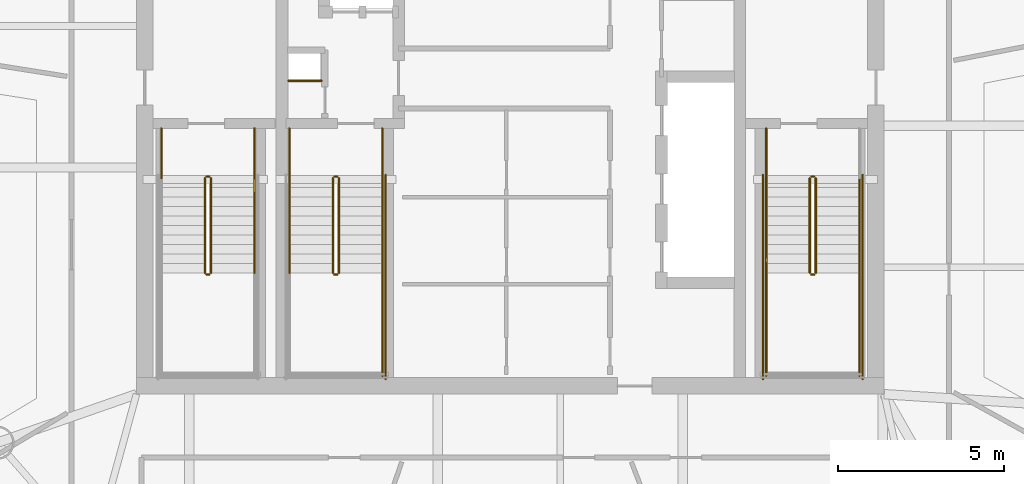
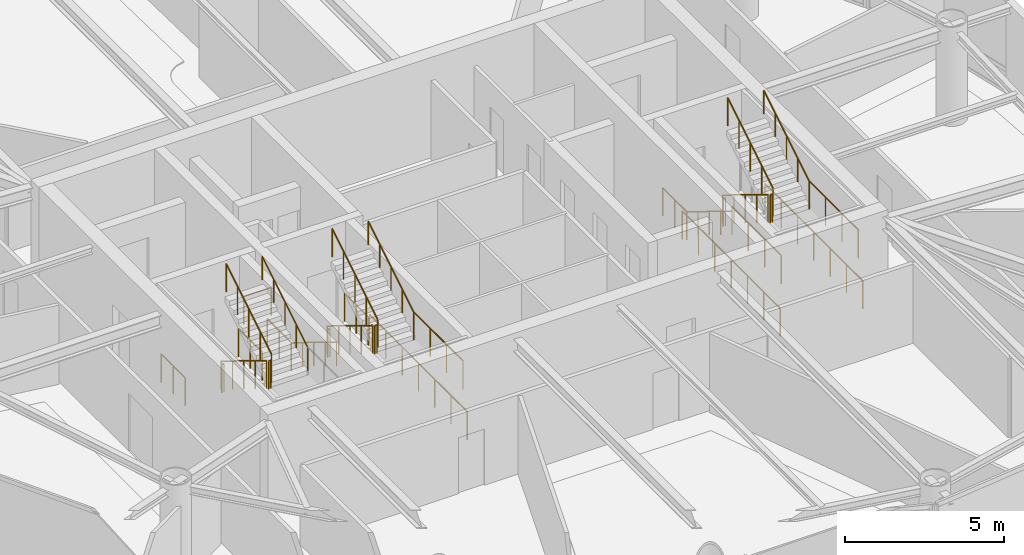
# One storey, part 20 of 21: 29 railings.
"""IFC4 building model written with IfcOpenShell, lengths in metres."""

import ifcopenshell
import ifcopenshell.guid

model = None  # the IFC model being written
_history = None  # IfcOwnerHistory: only IFC2X3 demands one
_inside = {}  # id of a spatial element -> (the spatial element, [elements in it])
_under = {}  # id of a project, library or spatial element -> (it, [spatial elements below it])
_declared = {}  # id of a project -> (the project, [libraries it declares])
_typed = {}  # id of a type object -> (the type object, [elements of that type])
_made_of = {}  # id of a material, layer set ... -> (it, [elements and type objects made of it])


def new_model(schema):
    """Start an empty IFC model of exactly this schema.

    Asked for "IFC4X3", IfcOpenShell would pick the latest addendum, in which some entities
    have other attributes; the version numbers below select the first issue.
    IFC2X3 requires an IfcOwnerHistory on every rooted entity: one is made here for all.
    """
    global model, _history
    if schema == "IFC4X3":
        model = ifcopenshell.file(schema_version=(4, 3, 0, 0))
    else:
        model = ifcopenshell.file(schema=schema)
    _inside.clear()
    _under.clear()
    _declared.clear()
    _typed.clear()
    _made_of.clear()
    _history = None
    if model.schema == "IFC2X3":
        org = make("IfcOrganization", Name="unknown")
        user = make(
            "IfcPersonAndOrganization",
            ThePerson=make("IfcPerson", FamilyName="unknown"),
            TheOrganization=org,
        )
        app = make(
            "IfcApplication",
            ApplicationDeveloper=org,
            Version="unknown",
            ApplicationFullName="unknown",
            ApplicationIdentifier="unknown",
        )
        _history = make(
            "IfcOwnerHistory",
            OwningUser=user,
            OwningApplication=app,
            ChangeAction="ADDED",
            CreationDate=0,
        )
    return model


def make(cls, **values):
    """One entity of the class cls with the attributes given. An attribute that is None is left unset."""
    return model.create_entity(
        cls, **{name: value for name, value in values.items() if value is not None}
    )


def rooted(cls, **values):
    """An entity with a GlobalId (a new one), such as an element, a storey or a relation."""
    return make(cls, GlobalId=ifcopenshell.guid.new(), OwnerHistory=_history, **values)


def si_unit(unit_type, name, prefix=None):
    """IfcSIUnit, for example si_unit("LENGTHUNIT", "METRE", prefix="MILLI")."""
    return make("IfcSIUnit", UnitType=unit_type, Prefix=prefix, Name=name)


def assignment(units):
    """IfcUnitAssignment: the units of a project."""
    return None if units is None else make("IfcUnitAssignment", Units=units)


def point(xyz):
    """IfcCartesianPoint."""
    return None if xyz is None else make("IfcCartesianPoint", Coordinates=xyz)


def direction(xyz):
    """IfcDirection."""
    return None if xyz is None else make("IfcDirection", DirectionRatios=xyz)


def frame(location, z_axis=None, x_axis=None):
    """IfcAxis2Placement3D, a coordinate frame: its origin and axes. An axis left out is left unset."""
    return make(
        "IfcAxis2Placement3D",
        Location=point(location),
        Axis=direction(z_axis),
        RefDirection=direction(x_axis),
    )


def frame_2d(location, x_axis=None):
    """IfcAxis2Placement2D, a coordinate frame in the plane: its origin and x axis."""
    return make(
        "IfcAxis2Placement2D", Location=point(location), RefDirection=direction(x_axis)
    )


def origin():
    """The frame at (0, 0, 0) with its axes left unset."""
    return frame((0.0, 0.0, 0.0))


def origin_2d():
    """The frame at (0, 0) in the plane with its x axis left unset."""
    return frame_2d((0.0, 0.0))


def place(relative_to, where):
    """IfcLocalPlacement: puts the frame where relative to a parent placement (None: the world)."""
    return make(
        "IfcLocalPlacement", PlacementRelTo=relative_to, RelativePlacement=where
    )


def context(
    kind, dimensions, precision=None, world=None, true_north=None, identifier=None
):
    """IfcGeometricRepresentationContext, for example the 3D "Model" context."""
    return make(
        "IfcGeometricRepresentationContext",
        ContextIdentifier=identifier,
        ContextType=kind,
        CoordinateSpaceDimension=dimensions,
        Precision=precision,
        WorldCoordinateSystem=world,
        TrueNorth=true_north,
    )


def subcontext(parent, identifier, kind, view, scale=None):
    """IfcGeometricRepresentationSubContext, for example "Body" below "Model"."""
    return make(
        "IfcGeometricRepresentationSubContext",
        ContextIdentifier=identifier,
        ContextType=kind,
        ParentContext=parent,
        TargetScale=scale,
        TargetView=view,
    )


def project(units=None, contexts=None):
    """IfcProject with its units and contexts."""
    return rooted(
        "IfcProject",
        Name="project",
        RepresentationContexts=contexts,
        UnitsInContext=assignment(units),
    )


def spatial(cls, under=None, at=None, **own):
    """A site, building, storey or space (cls), placed at a placement, below another one or the project."""
    s = rooted(cls, ObjectPlacement=at, **own)
    if under is not None:
        _under.setdefault(under.id(), (under, []))[1].append(s)
    return s


def profile(cls, at=None, kind="AREA", **sizes):
    """A parametric profile (cls). Its sizes go by their IFC names, for example OverallWidth=200.0."""
    return make(cls, ProfileType=kind, Position=at, **sizes)


def circle(**sizes):
    """IfcCircleProfileDef."""
    return profile("IfcCircleProfileDef", **sizes)


def extrude(swept, where, along, depth):
    """IfcExtrudedAreaSolid: the profile swept, set in the frame where, extruded along a direction by depth."""
    return make(
        "IfcExtrudedAreaSolid",
        SweptArea=swept,
        Position=where,
        ExtrudedDirection=direction(along),
        Depth=depth,
    )


def shape(context_of_items, identifier, shape_type, items):
    """IfcShapeRepresentation: the items that make up one representation, for example the "Body"."""
    return make(
        "IfcShapeRepresentation",
        ContextOfItems=context_of_items,
        RepresentationIdentifier=identifier,
        RepresentationType=shape_type,
        Items=items,
    )


def material(Name=None, Category=None):
    """IfcMaterial."""
    return make("IfcMaterial", Name=Name, Category=Category)


def made_of(thing, what):
    """Note that an element or type object is made of a material, layer set ...; save() writes the relation."""
    if what is not None:
        _made_of.setdefault(what.id(), (what, []))[1].append(thing)
    return thing


def type_object(cls, material=None, **own):
    """A type object (cls), such as IfcWallType, which elements share."""
    return made_of(rooted(cls, **own), material)


def element(
    cls,
    number,
    at=None,
    inside=None,
    cuts=None,
    type_object=None,
    material=None,
    context=None,
    identifier="Body",
    shape_type=None,
    held_by="IfcProductDefinitionShape",
    body=None,
    shapes=None,
    **own,
):
    """One element of the class cls, such as IfcWall. Its Tag is "e" and its number.

    at: its placement. inside: the storey or other place that contains it. cuts: it is an
    opening in that element (IfcRelVoidsElement). A single representation is given by context,
    identifier, shape_type and body (its items); several are given by shapes. held_by: the class
    of the entity that holds the representations. save() writes the other relations.
    """
    e = rooted(cls, Tag="e%d" % number, ObjectPlacement=at, **own)
    if body is not None:
        shapes = [shape(context, identifier, shape_type, body)]
    if shapes is not None:
        e.Representation = make(held_by, Representations=shapes)
    if inside is not None:
        _inside.setdefault(inside.id(), (inside, []))[1].append(e)
    if cuts is not None:
        rooted(
            "IfcRelVoidsElement", RelatingBuildingElement=cuts, RelatedOpeningElement=e
        )
    if type_object is not None:
        _typed.setdefault(type_object.id(), (type_object, []))[1].append(e)
    return made_of(e, material)


def aggregate(whole, parts):
    """IfcRelAggregates: a whole, such as a stair, and the parts it consists of."""
    return rooted("IfcRelAggregates", RelatingObject=whole, RelatedObjects=parts)


def save(model, path):
    """Write the relations noted so far, then the file.

    IfcRelAggregates (storeys below a building ...), IfcRelContainedInSpatialStructure (elements
    in a storey), IfcRelDefinesByType, IfcRelAssociatesMaterial and IfcRelDeclares: one each for
    every whole, place, type object, material and project.
    """
    for whole, parts in _under.values():
        aggregate(whole, parts)
    for where, things in _inside.values():
        rooted(
            "IfcRelContainedInSpatialStructure",
            RelatedElements=things,
            RelatingStructure=where,
        )
    for kind, things in _typed.values():
        rooted("IfcRelDefinesByType", RelatedObjects=things, RelatingType=kind)
    for what, things in _made_of.values():
        rooted("IfcRelAssociatesMaterial", RelatedObjects=things, RelatingMaterial=what)
    for by, libraries in _declared.values():
        rooted("IfcRelDeclares", RelatingContext=by, RelatedDefinitions=libraries)
    model.write(path)


model = new_model("IFC4")

# Units and contexts
model_context = context("Model", 3, precision=1e-05, world=origin(), true_north=direction((0.0, 1.0)))
body_context = subcontext(model_context, "Body", "Model", "MODEL_VIEW")
ifc_project = project(units=[si_unit("LENGTHUNIT", "METRE"), si_unit("AREAUNIT", "SQUARE_METRE"), si_unit("VOLUMEUNIT", "CUBIC_METRE"), si_unit("PLANEANGLEUNIT", "RADIAN"), si_unit("MASSUNIT", "GRAM", prefix="KILO")], contexts=[model_context])

# Site, building, storey
site_placement = place(None, origin())
site = spatial("IfcSite", under=ifc_project, at=site_placement, CompositionType="ELEMENT")
building_placement = place(site_placement, origin())
building = spatial("IfcBuilding", under=site, at=building_placement, Name="Bramvorn Convention Spire", CompositionType="ELEMENT")
storey_placement = place(building_placement, frame((0.0, 0.0, 249.75)))
storey = spatial("IfcBuildingStorey", under=building, at=storey_placement, Name="L63", CompositionType="ELEMENT", Elevation=249.75)

# Railings
ifc_material_1 = material(Name="Painted Steel Balustrade & Guardrail", Category="steel")
railing_type_1 = type_object("IfcRailingType", Name="RL-STAIR-GUARD-1100", PredefinedType="GUARDRAIL", material=ifc_material_1)
railing_1_placement = place(storey_placement, frame((28.81005859375, 25.050048828125, 0.175048828125)))
element("IfcRailing", 1, at=railing_1_placement, inside=storey, type_object=railing_type_1, Name="L63 ST1 stair guard 1", PredefinedType="GUARDRAIL", context=body_context, shape_type="SweptSolid", body=[
    extrude(circle(Radius=0.02392578125, at=origin_2d()), frame((0.0, 0.0, 1.076171875), z_axis=(0.0, -0.852179220489, 0.52325001306), x_axis=(1.0, 0.0, 0.0)), (0.0, 0.0, 1.0), 3.344482421875),
    extrude(circle(Radius=0.02099609375, at=origin_2d()), origin(), (0.0, 0.0, 1.0), 1.052001953125),
    extrude(circle(Radius=0.02099609375, at=origin_2d()), frame((0.0, -0.71240234375, 0.4375)), (0.0, 0.0, 1.0), 1.052001953125),
    extrude(circle(Radius=0.02099609375, at=origin_2d()), frame((0.0, -1.425048828125, 0.875)), (0.0, 0.0, 1.0), 1.052001953125),
    extrude(circle(Radius=0.02099609375, at=origin_2d()), frame((0.0, -2.1376953125, 1.3125)), (0.0, 0.0, 1.0), 1.052001953125),
    extrude(circle(Radius=0.02099609375, at=origin_2d()), frame((0.0, -2.85009765625, 1.75)), (0.0, 0.0, 1.0), 1.052001953125),
])
railing_2_placement = place(storey_placement, frame((28.860107421875, 22.14990234375, 1.925048828125)))
element("IfcRailing", 2, at=railing_2_placement, inside=storey, type_object=railing_type_1, Name="L63 ST1 stair guard 2", PredefinedType="GUARDRAIL", context=body_context, shape_type="SweptSolid", body=[
    extrude(circle(Radius=0.02392578125, at=origin_2d()), frame((0.0, 0.0, 1.076171875), z_axis=(1.0, 0.0, 0.0), x_axis=(0.0, 1.0, 0.0)), (0.0, 0.0, 1.0), 0.079833984375),
    extrude(circle(Radius=0.02099609375, at=origin_2d()), origin(), (0.0, 0.0, 1.0), 1.052001953125),
    extrude(circle(Radius=0.02099609375, at=origin_2d()), frame((0.079833984375, 0.0, 0.0)), (0.0, 0.0, 1.0), 1.052001953125),
])
railing_3_placement = place(storey_placement, frame((28.989990234375, 22.199951171875, 2.10009765625)))
element("IfcRailing", 3, at=railing_3_placement, inside=storey, type_object=railing_type_1, Name="L63 ST1 stair guard 6", PredefinedType="GUARDRAIL", context=body_context, shape_type="SweptSolid", body=[
    extrude(circle(Radius=0.02392578125, at=origin_2d()), frame((0.0, 0.0, 1.076171875), z_axis=(0.0, 0.852179220489, 0.52325001306), x_axis=(-1.0, 0.0, 0.0)), (0.0, 0.0, 1.0), 3.344482421875),
    extrude(circle(Radius=0.02099609375, at=origin_2d()), origin(), (0.0, 0.0, 1.0), 1.052001953125),
    extrude(circle(Radius=0.02099609375, at=origin_2d()), frame((0.0, 0.71240234375, 0.4375)), (0.0, 0.0, 1.0), 1.052001953125),
    extrude(circle(Radius=0.02099609375, at=origin_2d()), frame((0.0, 1.425048828125, 0.875)), (0.0, 0.0, 1.0), 1.052001953125),
    extrude(circle(Radius=0.02099609375, at=origin_2d()), frame((0.0, 2.1376953125, 1.3125)), (0.0, 0.0, 1.0), 1.052001953125),
    extrude(circle(Radius=0.02099609375, at=origin_2d()), frame((0.0, 2.85009765625, 1.75)), (0.0, 0.0, 1.0), 1.052001953125),
])
railing_4_placement = place(storey_placement, frame((28.860107421875, 25.10009765625, 0.0)))
element("IfcRailing", 4, at=railing_4_placement, inside=storey, type_object=railing_type_1, Name="L63 ST1 stair guard 7", PredefinedType="GUARDRAIL", context=body_context, shape_type="SweptSolid", body=[
    extrude(circle(Radius=0.02392578125, at=origin_2d()), frame((0.0, 0.0, 1.076171875), z_axis=(1.0, 0.0, 0.0), x_axis=(0.0, 1.0, 0.0)), (0.0, 0.0, 1.0), 0.079833984375),
    extrude(circle(Radius=0.02099609375, at=origin_2d()), origin(), (0.0, 0.0, 1.0), 1.052001953125),
    extrude(circle(Radius=0.02099609375, at=origin_2d()), frame((0.079833984375, 0.0, 0.0)), (0.0, 0.0, 1.0), 1.052001953125),
])
for number, where, name in (
    (5, (27.5, 26.550048828125, 0.0), "L63 ST1 stair guard 8"),
    (6, (30.300048828125, 26.550048828125, 0.0), "L63 ST1 stair guard 9"),
):
    element("IfcRailing", number, at=place(storey_placement, frame(where)), inside=storey, type_object=railing_type_1, Name=name, PredefinedType="GUARDRAIL", context=body_context, shape_type="SweptSolid", body=[
        extrude(circle(Radius=0.02392578125, at=origin_2d()), frame((0.0, 0.0, 1.076171875), z_axis=(0.0, -1.0, 0.0), x_axis=(1.0, 0.0, 0.0)), (0.0, 0.0, 1.0), 1.5),
        extrude(circle(Radius=0.02099609375, at=origin_2d()), origin(), (0.0, 0.0, 1.0), 1.052001953125),
        extrude(circle(Radius=0.02099609375, at=origin_2d()), frame((0.0, -0.75, 0.0)), (0.0, 0.0, 1.0), 1.052001953125),
        extrude(circle(Radius=0.02099609375, at=origin_2d()), frame((0.0, -1.5, 0.0)), (0.0, 0.0, 1.0), 1.052001953125),
    ])
railing_5_placement = place(storey_placement, frame((47.010009765625, 25.050048828125, 0.175048828125)))
element("IfcRailing", 7, at=railing_5_placement, inside=storey, type_object=railing_type_1, Name="L63 ST2 stair guard 1", PredefinedType="GUARDRAIL", context=body_context, shape_type="SweptSolid", body=[
    extrude(circle(Radius=0.02392578125, at=origin_2d()), frame((0.0, 0.0, 1.076171875), z_axis=(0.0, -0.852179220489, 0.52325001306), x_axis=(1.0, 0.0, 0.0)), (0.0, 0.0, 1.0), 3.344482421875),
    extrude(circle(Radius=0.02099609375, at=origin_2d()), origin(), (0.0, 0.0, 1.0), 1.052001953125),
    extrude(circle(Radius=0.02099609375, at=origin_2d()), frame((0.0, -0.71240234375, 0.4375)), (0.0, 0.0, 1.0), 1.052001953125),
    extrude(circle(Radius=0.02099609375, at=origin_2d()), frame((0.0, -1.425048828125, 0.875)), (0.0, 0.0, 1.0), 1.052001953125),
    extrude(circle(Radius=0.02099609375, at=origin_2d()), frame((0.0, -2.1376953125, 1.3125)), (0.0, 0.0, 1.0), 1.052001953125),
    extrude(circle(Radius=0.02099609375, at=origin_2d()), frame((0.0, -2.85009765625, 1.75)), (0.0, 0.0, 1.0), 1.052001953125),
])
railing_6_placement = place(storey_placement, frame((47.06005859375, 22.14990234375, 1.925048828125)))
element("IfcRailing", 8, at=railing_6_placement, inside=storey, type_object=railing_type_1, Name="L63 ST2 stair guard 2", PredefinedType="GUARDRAIL", context=body_context, shape_type="SweptSolid", body=[
    extrude(circle(Radius=0.02392578125, at=origin_2d()), frame((0.0, 0.0, 1.076171875), z_axis=(1.0, 0.0, 0.0), x_axis=(0.0, 1.0, 0.0)), (0.0, 0.0, 1.0), 0.079833984375),
    extrude(circle(Radius=0.02099609375, at=origin_2d()), origin(), (0.0, 0.0, 1.0), 1.052001953125),
    extrude(circle(Radius=0.02099609375, at=origin_2d()), frame((0.079833984375, 0.0, 0.0)), (0.0, 0.0, 1.0), 1.052001953125),
])
for number, where, name in (
    (9, (45.699951171875, 22.199951171875, 1.925048828125), "L63 ST2 stair guard 3"),
    (10, (48.5, 22.199951171875, 1.925048828125), "L63 ST2 stair guard 4"),
):
    element("IfcRailing", number, at=place(storey_placement, frame(where)), inside=storey, type_object=railing_type_1, Name=name, PredefinedType="GUARDRAIL", context=body_context, shape_type="SweptSolid", body=[
        extrude(circle(Radius=0.02392578125, at=origin_2d()), frame((0.0, 0.0, 1.076171875), z_axis=(0.0, -1.0, 0.0), x_axis=(1.0, 0.0, 0.0)), (0.0, 0.0, 1.0), 3.099853515625),
        extrude(circle(Radius=0.02099609375, at=origin_2d()), origin(), (0.0, 0.0, 1.0), 1.052001953125),
        extrude(circle(Radius=0.02099609375, at=origin_2d()), frame((0.0, -1.033203125, 0.0)), (0.0, 0.0, 1.0), 1.052001953125),
        extrude(circle(Radius=0.02099609375, at=origin_2d()), frame((0.0, -2.066650390625, 0.0)), (0.0, 0.0, 1.0), 1.052001953125),
        extrude(circle(Radius=0.02099609375, at=origin_2d()), frame((0.0, -3.099853515625, 0.0)), (0.0, 0.0, 1.0), 1.052001953125),
    ])
railing_7_placement = place(storey_placement, frame((47.18994140625, 22.199951171875, 2.10009765625)))
element("IfcRailing", 11, at=railing_7_placement, inside=storey, type_object=railing_type_1, Name="L63 ST2 stair guard 6", PredefinedType="GUARDRAIL", context=body_context, shape_type="SweptSolid", body=[
    extrude(circle(Radius=0.02392578125, at=origin_2d()), frame((0.0, 0.0, 1.076171875), z_axis=(0.0, 0.852179220489, 0.52325001306), x_axis=(-1.0, 0.0, 0.0)), (0.0, 0.0, 1.0), 3.344482421875),
    extrude(circle(Radius=0.02099609375, at=origin_2d()), origin(), (0.0, 0.0, 1.0), 1.052001953125),
    extrude(circle(Radius=0.02099609375, at=origin_2d()), frame((0.0, 0.71240234375, 0.4375)), (0.0, 0.0, 1.0), 1.052001953125),
    extrude(circle(Radius=0.02099609375, at=origin_2d()), frame((0.0, 1.425048828125, 0.875)), (0.0, 0.0, 1.0), 1.052001953125),
    extrude(circle(Radius=0.02099609375, at=origin_2d()), frame((0.0, 2.1376953125, 1.3125)), (0.0, 0.0, 1.0), 1.052001953125),
    extrude(circle(Radius=0.02099609375, at=origin_2d()), frame((0.0, 2.85009765625, 1.75)), (0.0, 0.0, 1.0), 1.052001953125),
])
railing_8_placement = place(storey_placement, frame((47.06005859375, 25.10009765625, 0.0)))
element("IfcRailing", 12, at=railing_8_placement, inside=storey, type_object=railing_type_1, Name="L63 ST2 stair guard 7", PredefinedType="GUARDRAIL", context=body_context, shape_type="SweptSolid", body=[
    extrude(circle(Radius=0.02392578125, at=origin_2d()), frame((0.0, 0.0, 1.076171875), z_axis=(1.0, 0.0, 0.0), x_axis=(0.0, 1.0, 0.0)), (0.0, 0.0, 1.0), 0.079833984375),
    extrude(circle(Radius=0.02099609375, at=origin_2d()), origin(), (0.0, 0.0, 1.0), 1.052001953125),
    extrude(circle(Radius=0.02099609375, at=origin_2d()), frame((0.079833984375, 0.0, 0.0)), (0.0, 0.0, 1.0), 1.052001953125),
])
railing_9_placement = place(storey_placement, frame((45.699951171875, 26.550048828125, 0.0)))
element("IfcRailing", 13, at=railing_9_placement, inside=storey, type_object=railing_type_1, Name="L63 ST2 stair guard 8", PredefinedType="GUARDRAIL", context=body_context, shape_type="SweptSolid", body=[
    extrude(circle(Radius=0.02392578125, at=origin_2d()), frame((0.0, 0.0, 1.076171875), z_axis=(0.0, -1.0, 0.0), x_axis=(1.0, 0.0, 0.0)), (0.0, 0.0, 1.0), 1.5),
    extrude(circle(Radius=0.02099609375, at=origin_2d()), origin(), (0.0, 0.0, 1.0), 1.052001953125),
    extrude(circle(Radius=0.02099609375, at=origin_2d()), frame((0.0, -0.75, 0.0)), (0.0, 0.0, 1.0), 1.052001953125),
    extrude(circle(Radius=0.02099609375, at=origin_2d()), frame((0.0, -1.5, 0.0)), (0.0, 0.0, 1.0), 1.052001953125),
])
for number, where, name in (
    (14, (45.60009765625, 25.14990234375, 0.0), "L63 ST2 stair guard 10"),
    (15, (48.60009765625, 25.14990234375, 0.0), "L63 ST2 stair guard 11"),
):
    element("IfcRailing", number, at=place(storey_placement, frame(where)), inside=storey, type_object=railing_type_1, Name=name, PredefinedType="GUARDRAIL", context=body_context, shape_type="SweptSolid", body=[
        extrude(circle(Radius=0.02392578125, at=origin_2d()), frame((0.0, 0.0, 1.076171875), z_axis=(0.0, -1.0, 0.0), x_axis=(1.0, 0.0, 0.0)), (0.0, 0.0, 1.0), 6.14990234375),
        extrude(circle(Radius=0.02099609375, at=origin_2d()), origin(), (0.0, 0.0, 1.0), 1.052001953125),
        extrude(circle(Radius=0.02099609375, at=origin_2d()), frame((0.0, -1.02490234375, 0.0)), (0.0, 0.0, 1.0), 1.052001953125),
        extrude(circle(Radius=0.02099609375, at=origin_2d()), frame((0.0, -2.050048828125, 0.0)), (0.0, 0.0, 1.0), 1.052001953125),
        extrude(circle(Radius=0.02099609375, at=origin_2d()), frame((0.0, -3.074951171875, 0.0)), (0.0, 0.0, 1.0), 1.052001953125),
        extrude(circle(Radius=0.02099609375, at=origin_2d()), frame((0.0, -4.099853515625, 0.0)), (0.0, 0.0, 1.0), 1.052001953125),
        extrude(circle(Radius=0.02099609375, at=origin_2d()), frame((0.0, -5.125, 0.0)), (0.0, 0.0, 1.0), 1.052001953125),
        extrude(circle(Radius=0.02099609375, at=origin_2d()), frame((0.0, -6.14990234375, 0.0)), (0.0, 0.0, 1.0), 1.052001953125),
    ])
railing_10_placement = place(storey_placement, frame((32.659912109375, 25.050048828125, 0.175048828125)))
element("IfcRailing", 16, at=railing_10_placement, inside=storey, type_object=railing_type_1, Name="L63 ST3 stair guard 1", PredefinedType="GUARDRAIL", context=body_context, shape_type="SweptSolid", body=[
    extrude(circle(Radius=0.02392578125, at=origin_2d()), frame((0.0, 0.0, 1.076171875), z_axis=(0.0, -0.852179220489, 0.52325001306), x_axis=(1.0, 0.0, 0.0)), (0.0, 0.0, 1.0), 3.344482421875),
    extrude(circle(Radius=0.02099609375, at=origin_2d()), origin(), (0.0, 0.0, 1.0), 1.052001953125),
    extrude(circle(Radius=0.02099609375, at=origin_2d()), frame((0.0, -0.71240234375, 0.4375)), (0.0, 0.0, 1.0), 1.052001953125),
    extrude(circle(Radius=0.02099609375, at=origin_2d()), frame((0.0, -1.425048828125, 0.875)), (0.0, 0.0, 1.0), 1.052001953125),
    extrude(circle(Radius=0.02099609375, at=origin_2d()), frame((0.0, -2.1376953125, 1.3125)), (0.0, 0.0, 1.0), 1.052001953125),
    extrude(circle(Radius=0.02099609375, at=origin_2d()), frame((0.0, -2.85009765625, 1.75)), (0.0, 0.0, 1.0), 1.052001953125),
])
railing_11_placement = place(storey_placement, frame((32.7099609375, 22.14990234375, 1.925048828125)))
element("IfcRailing", 17, at=railing_11_placement, inside=storey, type_object=railing_type_1, Name="L63 ST3 stair guard 2", PredefinedType="GUARDRAIL", context=body_context, shape_type="SweptSolid", body=[
    extrude(circle(Radius=0.02392578125, at=origin_2d()), frame((0.0, 0.0, 1.076171875), z_axis=(1.0, 0.0, 0.0), x_axis=(0.0, 1.0, 0.0)), (0.0, 0.0, 1.0), 0.080078125),
    extrude(circle(Radius=0.02099609375, at=origin_2d()), origin(), (0.0, 0.0, 1.0), 1.052001953125),
    extrude(circle(Radius=0.02099609375, at=origin_2d()), frame((0.080078125, 0.0, 0.0)), (0.0, 0.0, 1.0), 1.052001953125),
])
railing_12_placement = place(storey_placement, frame((34.14990234375, 22.199951171875, 1.925048828125)))
element("IfcRailing", 18, at=railing_12_placement, inside=storey, type_object=railing_type_1, Name="L63 ST3 stair guard 4", PredefinedType="GUARDRAIL", context=body_context, shape_type="SweptSolid", body=[
    extrude(circle(Radius=0.02392578125, at=origin_2d()), frame((0.0, 0.0, 1.076171875), z_axis=(0.0, -1.0, 0.0), x_axis=(1.0, 0.0, 0.0)), (0.0, 0.0, 1.0), 3.099853515625),
    extrude(circle(Radius=0.02099609375, at=origin_2d()), origin(), (0.0, 0.0, 1.0), 1.052001953125),
    extrude(circle(Radius=0.02099609375, at=origin_2d()), frame((0.0, -1.033203125, 0.0)), (0.0, 0.0, 1.0), 1.052001953125),
    extrude(circle(Radius=0.02099609375, at=origin_2d()), frame((0.0, -2.066650390625, 0.0)), (0.0, 0.0, 1.0), 1.052001953125),
    extrude(circle(Radius=0.02099609375, at=origin_2d()), frame((0.0, -3.099853515625, 0.0)), (0.0, 0.0, 1.0), 1.052001953125),
])
railing_13_placement = place(storey_placement, frame((32.840087890625, 22.199951171875, 2.10009765625)))
element("IfcRailing", 19, at=railing_13_placement, inside=storey, type_object=railing_type_1, Name="L63 ST3 stair guard 6", PredefinedType="GUARDRAIL", context=body_context, shape_type="SweptSolid", body=[
    extrude(circle(Radius=0.02392578125, at=origin_2d()), frame((0.0, 0.0, 1.076171875), z_axis=(0.0, 0.852179220489, 0.52325001306), x_axis=(-1.0, 0.0, 0.0)), (0.0, 0.0, 1.0), 3.344482421875),
    extrude(circle(Radius=0.02099609375, at=origin_2d()), origin(), (0.0, 0.0, 1.0), 1.052001953125),
    extrude(circle(Radius=0.02099609375, at=origin_2d()), frame((0.0, 0.71240234375, 0.4375)), (0.0, 0.0, 1.0), 1.052001953125),
    extrude(circle(Radius=0.02099609375, at=origin_2d()), frame((0.0, 1.425048828125, 0.875)), (0.0, 0.0, 1.0), 1.052001953125),
    extrude(circle(Radius=0.02099609375, at=origin_2d()), frame((0.0, 2.1376953125, 1.3125)), (0.0, 0.0, 1.0), 1.052001953125),
    extrude(circle(Radius=0.02099609375, at=origin_2d()), frame((0.0, 2.85009765625, 1.75)), (0.0, 0.0, 1.0), 1.052001953125),
])
railing_14_placement = place(storey_placement, frame((32.7099609375, 25.10009765625, 0.0)))
element("IfcRailing", 20, at=railing_14_placement, inside=storey, type_object=railing_type_1, Name="L63 ST3 stair guard 7", PredefinedType="GUARDRAIL", context=body_context, shape_type="SweptSolid", body=[
    extrude(circle(Radius=0.02392578125, at=origin_2d()), frame((0.0, 0.0, 1.076171875), z_axis=(1.0, 0.0, 0.0), x_axis=(0.0, 1.0, 0.0)), (0.0, 0.0, 1.0), 0.080078125),
    extrude(circle(Radius=0.02099609375, at=origin_2d()), origin(), (0.0, 0.0, 1.0), 1.052001953125),
    extrude(circle(Radius=0.02099609375, at=origin_2d()), frame((0.080078125, 0.0, 0.0)), (0.0, 0.0, 1.0), 1.052001953125),
])
for number, where, name in (
    (21, (31.35009765625, 26.550048828125, 0.0), "L63 ST3 stair guard 8"),
    (22, (34.14990234375, 26.550048828125, 0.0), "L63 ST3 stair guard 9"),
):
    element("IfcRailing", number, at=place(storey_placement, frame(where)), inside=storey, type_object=railing_type_1, Name=name, PredefinedType="GUARDRAIL", context=body_context, shape_type="SweptSolid", body=[
        extrude(circle(Radius=0.02392578125, at=origin_2d()), frame((0.0, 0.0, 1.076171875), z_axis=(0.0, -1.0, 0.0), x_axis=(1.0, 0.0, 0.0)), (0.0, 0.0, 1.0), 1.5),
        extrude(circle(Radius=0.02099609375, at=origin_2d()), origin(), (0.0, 0.0, 1.0), 1.052001953125),
        extrude(circle(Radius=0.02099609375, at=origin_2d()), frame((0.0, -0.75, 0.0)), (0.0, 0.0, 1.0), 1.052001953125),
        extrude(circle(Radius=0.02099609375, at=origin_2d()), frame((0.0, -1.5, 0.0)), (0.0, 0.0, 1.0), 1.052001953125),
    ])
railing_15_placement = place(storey_placement, frame((34.25, 25.14990234375, 0.0)))
element("IfcRailing", 23, at=railing_15_placement, inside=storey, type_object=railing_type_1, Name="L63 ST3 stair guard 11", PredefinedType="GUARDRAIL", context=body_context, shape_type="SweptSolid", body=[
    extrude(circle(Radius=0.02392578125, at=origin_2d()), frame((0.0, 0.0, 1.076171875), z_axis=(0.0, -1.0, 0.0), x_axis=(1.0, 0.0, 0.0)), (0.0, 0.0, 1.0), 6.14990234375),
    extrude(circle(Radius=0.02099609375, at=origin_2d()), origin(), (0.0, 0.0, 1.0), 1.052001953125),
    extrude(circle(Radius=0.02099609375, at=origin_2d()), frame((0.0, -1.02490234375, 0.0)), (0.0, 0.0, 1.0), 1.052001953125),
    extrude(circle(Radius=0.02099609375, at=origin_2d()), frame((0.0, -2.050048828125, 0.0)), (0.0, 0.0, 1.0), 1.052001953125),
    extrude(circle(Radius=0.02099609375, at=origin_2d()), frame((0.0, -3.074951171875, 0.0)), (0.0, 0.0, 1.0), 1.052001953125),
    extrude(circle(Radius=0.02099609375, at=origin_2d()), frame((0.0, -4.099853515625, 0.0)), (0.0, 0.0, 1.0), 1.052001953125),
    extrude(circle(Radius=0.02099609375, at=origin_2d()), frame((0.0, -5.125, 0.0)), (0.0, 0.0, 1.0), 1.052001953125),
    extrude(circle(Radius=0.02099609375, at=origin_2d()), frame((0.0, -6.14990234375, 0.0)), (0.0, 0.0, 1.0), 1.052001953125),
])
railing_16_placement = place(storey_placement, frame((31.320068359375, 27.97998046875, 0.0)))
element("IfcRailing", 24, at=railing_16_placement, inside=storey, type_object=railing_type_1, Name="L63 Telecom riser shaft opening safety guardrail", PredefinedType="GUARDRAIL", context=body_context, shape_type="SweptSolid", body=[
    extrude(circle(Radius=0.02392578125, at=origin_2d()), frame((0.0, 0.0, 1.076171875), z_axis=(1.0, 0.0, 0.0), x_axis=(0.0, 1.0, 0.0)), (0.0, 0.0, 1.0), 1.0),
    extrude(circle(Radius=0.02099609375, at=origin_2d()), origin(), (0.0, 0.0, 1.0), 1.052001953125),
    extrude(circle(Radius=0.02099609375, at=origin_2d()), frame((1.0, 0.0, 0.0)), (0.0, 0.0, 1.0), 1.052001953125),
])
ifc_material_2 = material(Name="Brushed Bronze Tubular Handrail", Category="aluminium")
railing_type_2 = type_object("IfcRailingType", Name="RL-STAIR-HR-920", PredefinedType="HANDRAIL", material=ifc_material_2)
railing_17_placement = place(storey_placement, frame((30.300048828125, 22.199951171875, 2.10009765625)))
element("IfcRailing", 25, at=railing_17_placement, inside=storey, type_object=railing_type_2, Name="L63 ST1 stair handrail 2", PredefinedType="HANDRAIL", context=body_context, shape_type="SweptSolid", body=[
    extrude(circle(Radius=0.02392578125, at=origin_2d()), frame((0.0, 0.0, 0.89599609375), z_axis=(0.0, 0.852179220489, 0.52325001306), x_axis=(-1.0, 0.0, 0.0)), (0.0, 0.0, 1.0), 3.344482421875),
    extrude(circle(Radius=0.02099609375, at=origin_2d()), origin(), (0.0, 0.0, 1.0), 0.871826171875),
    extrude(circle(Radius=0.02099609375, at=origin_2d()), frame((0.0, 0.71240234375, 0.4375)), (0.0, 0.0, 1.0), 0.871826171875),
    extrude(circle(Radius=0.02099609375, at=origin_2d()), frame((0.0, 1.425048828125, 0.875)), (0.0, 0.0, 1.0), 0.871826171875),
    extrude(circle(Radius=0.02099609375, at=origin_2d()), frame((0.0, 2.1376953125, 1.3125)), (0.0, 0.0, 1.0), 0.871826171875),
    extrude(circle(Radius=0.02099609375, at=origin_2d()), frame((0.0, 2.85009765625, 1.75)), (0.0, 0.0, 1.0), 0.871826171875),
])
railing_18_placement = place(storey_placement, frame((45.699951171875, 25.050048828125, 0.175048828125)))
element("IfcRailing", 26, at=railing_18_placement, inside=storey, type_object=railing_type_2, Name="L63 ST2 stair handrail 1", PredefinedType="HANDRAIL", context=body_context, shape_type="SweptSolid", body=[
    extrude(circle(Radius=0.02392578125, at=origin_2d()), frame((0.0, 0.0, 0.89599609375), z_axis=(0.0, -0.852179220489, 0.52325001306), x_axis=(1.0, 0.0, 0.0)), (0.0, 0.0, 1.0), 3.344482421875),
    extrude(circle(Radius=0.02099609375, at=origin_2d()), origin(), (0.0, 0.0, 1.0), 0.871826171875),
    extrude(circle(Radius=0.02099609375, at=origin_2d()), frame((0.0, -0.71240234375, 0.4375)), (0.0, 0.0, 1.0), 0.871826171875),
    extrude(circle(Radius=0.02099609375, at=origin_2d()), frame((0.0, -1.425048828125, 0.875)), (0.0, 0.0, 1.0), 0.871826171875),
    extrude(circle(Radius=0.02099609375, at=origin_2d()), frame((0.0, -2.1376953125, 1.3125)), (0.0, 0.0, 1.0), 0.871826171875),
    extrude(circle(Radius=0.02099609375, at=origin_2d()), frame((0.0, -2.85009765625, 1.75)), (0.0, 0.0, 1.0), 0.871826171875),
])
railing_19_placement = place(storey_placement, frame((48.5, 22.199951171875, 2.10009765625)))
element("IfcRailing", 27, at=railing_19_placement, inside=storey, type_object=railing_type_2, Name="L63 ST2 stair handrail 2", PredefinedType="HANDRAIL", context=body_context, shape_type="SweptSolid", body=[
    extrude(circle(Radius=0.02392578125, at=origin_2d()), frame((0.0, 0.0, 0.89599609375), z_axis=(0.0, 0.852179220489, 0.52325001306), x_axis=(-1.0, 0.0, 0.0)), (0.0, 0.0, 1.0), 3.344482421875),
    extrude(circle(Radius=0.02099609375, at=origin_2d()), origin(), (0.0, 0.0, 1.0), 0.871826171875),
    extrude(circle(Radius=0.02099609375, at=origin_2d()), frame((0.0, 0.71240234375, 0.4375)), (0.0, 0.0, 1.0), 0.871826171875),
    extrude(circle(Radius=0.02099609375, at=origin_2d()), frame((0.0, 1.425048828125, 0.875)), (0.0, 0.0, 1.0), 0.871826171875),
    extrude(circle(Radius=0.02099609375, at=origin_2d()), frame((0.0, 2.1376953125, 1.3125)), (0.0, 0.0, 1.0), 0.871826171875),
    extrude(circle(Radius=0.02099609375, at=origin_2d()), frame((0.0, 2.85009765625, 1.75)), (0.0, 0.0, 1.0), 0.871826171875),
])
railing_20_placement = place(storey_placement, frame((31.35009765625, 25.050048828125, 0.175048828125)))
element("IfcRailing", 28, at=railing_20_placement, inside=storey, type_object=railing_type_2, Name="L63 ST3 stair handrail 1", PredefinedType="HANDRAIL", context=body_context, shape_type="SweptSolid", body=[
    extrude(circle(Radius=0.02392578125, at=origin_2d()), frame((0.0, 0.0, 0.89599609375), z_axis=(0.0, -0.852179220489, 0.52325001306), x_axis=(1.0, 0.0, 0.0)), (0.0, 0.0, 1.0), 3.344482421875),
    extrude(circle(Radius=0.02099609375, at=origin_2d()), origin(), (0.0, 0.0, 1.0), 0.871826171875),
    extrude(circle(Radius=0.02099609375, at=origin_2d()), frame((0.0, -0.71240234375, 0.4375)), (0.0, 0.0, 1.0), 0.871826171875),
    extrude(circle(Radius=0.02099609375, at=origin_2d()), frame((0.0, -1.425048828125, 0.875)), (0.0, 0.0, 1.0), 0.871826171875),
    extrude(circle(Radius=0.02099609375, at=origin_2d()), frame((0.0, -2.1376953125, 1.3125)), (0.0, 0.0, 1.0), 0.871826171875),
    extrude(circle(Radius=0.02099609375, at=origin_2d()), frame((0.0, -2.85009765625, 1.75)), (0.0, 0.0, 1.0), 0.871826171875),
])
railing_21_placement = place(storey_placement, frame((34.14990234375, 22.199951171875, 2.10009765625)))
element("IfcRailing", 29, at=railing_21_placement, inside=storey, type_object=railing_type_2, Name="L63 ST3 stair handrail 2", PredefinedType="HANDRAIL", context=body_context, shape_type="SweptSolid", body=[
    extrude(circle(Radius=0.02392578125, at=origin_2d()), frame((0.0, 0.0, 0.89599609375), z_axis=(0.0, 0.852179220489, 0.52325001306), x_axis=(-1.0, 0.0, 0.0)), (0.0, 0.0, 1.0), 3.344482421875),
    extrude(circle(Radius=0.02099609375, at=origin_2d()), origin(), (0.0, 0.0, 1.0), 0.871826171875),
    extrude(circle(Radius=0.02099609375, at=origin_2d()), frame((0.0, 0.71240234375, 0.4375)), (0.0, 0.0, 1.0), 0.871826171875),
    extrude(circle(Radius=0.02099609375, at=origin_2d()), frame((0.0, 1.425048828125, 0.875)), (0.0, 0.0, 1.0), 0.871826171875),
    extrude(circle(Radius=0.02099609375, at=origin_2d()), frame((0.0, 2.1376953125, 1.3125)), (0.0, 0.0, 1.0), 0.871826171875),
    extrude(circle(Radius=0.02099609375, at=origin_2d()), frame((0.0, 2.85009765625, 1.75)), (0.0, 0.0, 1.0), 0.871826171875),
])

save(model, "model.ifc")
